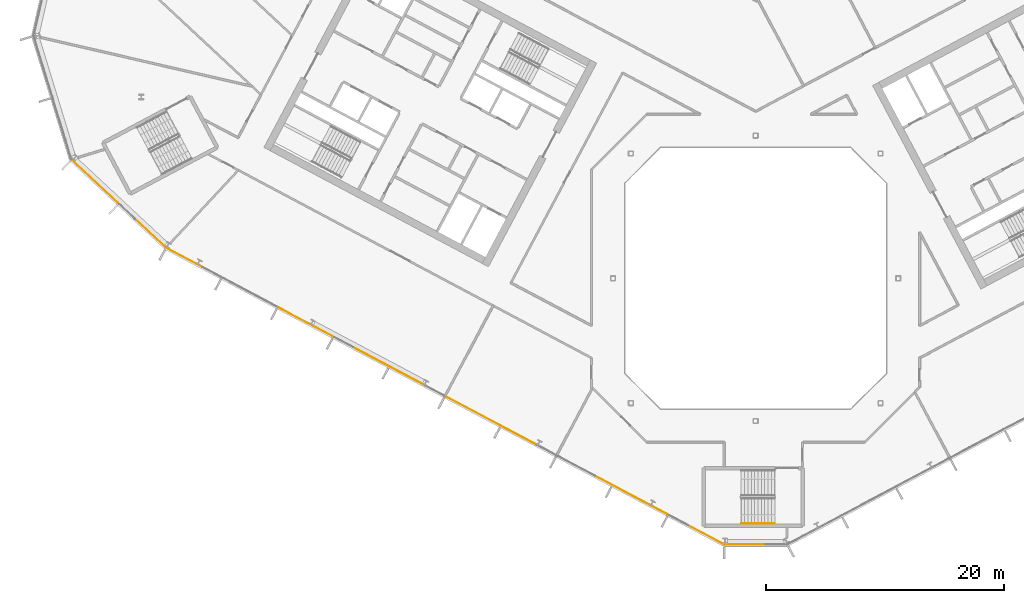
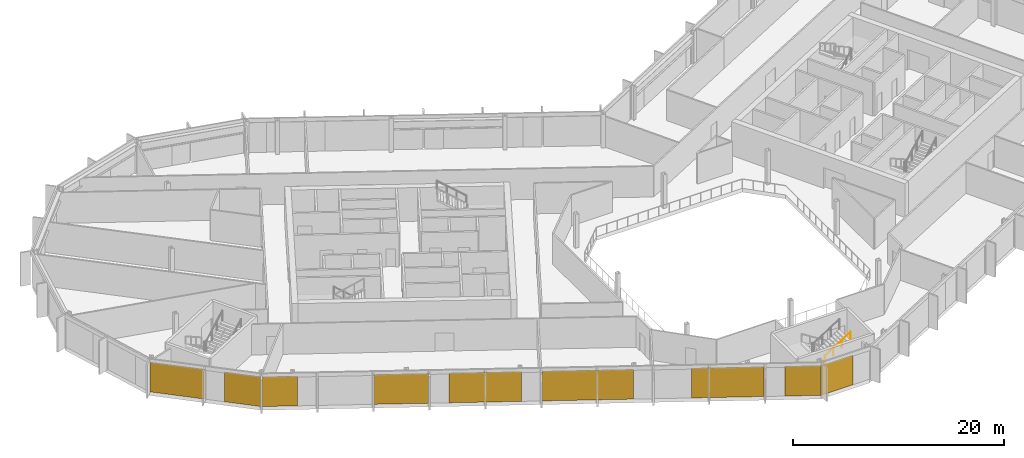
# One storey, part 22 of 31: 9 coverings, 1 railing, 3 elements without a shape of their own.
"""IFC4 building model written with IfcOpenShell, lengths in metres."""

from ifc_helpers import new_model, si_unit, direction, frame, origin, origin_2d, place, context, subcontext, project, spatial, polyline, rectangle, outline, extrude, material, layer, layer_set, type_object, element, aggregate, save


model = new_model("IFC4")

# Units and contexts
model_context = context("Model", 3, precision=1e-05, world=origin(), true_north=direction((0.0, 1.0)))
body_context = subcontext(model_context, "Body", "Model", "MODEL_VIEW")
ifc_project = project(units=[si_unit("LENGTHUNIT", "METRE"), si_unit("AREAUNIT", "SQUARE_METRE"), si_unit("VOLUMEUNIT", "CUBIC_METRE"), si_unit("PLANEANGLEUNIT", "RADIAN"), si_unit("MASSUNIT", "GRAM", prefix="KILO")], contexts=[model_context])

# Site, building, storey
site_placement = place(None, origin())
site = spatial("IfcSite", under=ifc_project, at=site_placement, CompositionType="ELEMENT")
building_placement = place(site_placement, origin())
building = spatial("IfcBuilding", under=site, at=building_placement, Name="Cormorant Relay Tower", CompositionType="ELEMENT")
storey_placement = place(building_placement, frame((0.0, 0.0, 189.60009765625)))
storey = spatial("IfcBuildingStorey", under=building, at=storey_placement, Name="L40", CompositionType="ELEMENT", Elevation=189.60009765625)

# Curtain wall, covering
ifc_material_1 = material(Name="Aluminium 6063-T6 anodised bronze", Category="aluminium")
ifc_layer_1 = layer(ifc_material_1, 0.199951171875)
ifc_layer_set_1 = layer_set([ifc_layer_1], Name="CW1 unitised bronze curtain wall with vertical fins")
curtain_wall_type = type_object("IfcCurtainWallType", Name="CW1 unitised bronze curtain wall with vertical fins", PredefinedType="NOTDEFINED", material=ifc_layer_set_1)
curtain_wall_1_placement = place(storey_placement, origin())
curtain_wall_1 = element("IfcCurtainWall", 1, at=curtain_wall_1_placement, inside=storey, type_object=curtain_wall_type, Name="CW1 curtain wall 1", PredefinedType="NOTDEFINED")
ifc_material_2 = material(Name="Pale bronze anodised aluminium insulated panel", Category="aluminium")
ifc_layer_2 = layer(ifc_material_2, 0.0400390625)
ifc_layer_set_2 = layer_set([ifc_layer_2], Name="CW1 pale bronze insulated panel 40")
covering_type = type_object("IfcCoveringType", Name="CW1 pale bronze insulated panel 40", PredefinedType="CLADDING", material=ifc_layer_set_2)
covering_1_placement = place(storey_placement, frame((-0.862548828125, -22.3955078125, 0.0), z_axis=(0.0, 0.0, 1.0), x_axis=(1.0, 0.0, 0.0)))
covering_1 = element("IfcCovering", 2, at=covering_1_placement, type_object=covering_type, Name="CW1 panel S00", PredefinedType="CLADDING", context=body_context, shape_type="SweptSolid", body=[
    extrude(rectangle(XDim=3.422607421875, YDim=0.0400390625, at=origin_2d()), origin(), (0.0, 0.0, 1.0), 3.449951171875),
])
aggregate(curtain_wall_1, [covering_1])

# Curtain wall, coverings
curtain_wall_2_placement = place(storey_placement, origin())
curtain_wall_2 = element("IfcCurtainWall", 3, at=curtain_wall_2_placement, inside=storey, type_object=curtain_wall_type, Name="CW1 curtain wall 15", PredefinedType="NOTDEFINED")
covering_2_placement = place(storey_placement, frame((-55.56787109375, 8.1298828125, 0.0), z_axis=(0.0, 0.0, 1.0), x_axis=(0.731353701619, -0.681998360062, 0.0)))
covering_2 = element("IfcCovering", 4, at=covering_2_placement, type_object=covering_type, Name="CW1 panel S00", PredefinedType="CLADDING", context=body_context, shape_type="SweptSolid", body=[
    extrude(rectangle(XDim=5.28515625, YDim=0.0400390625, at=origin_2d()), origin(), (0.0, 0.0, 1.0), 3.449951171875),
])
covering_3_placement = place(storey_placement, frame((-50.906982421875, 3.78369140625, 0.0), z_axis=(0.0, 0.0, 1.0), x_axis=(0.731353701619, -0.681998360062, 0.0)))
covering_3 = element("IfcCovering", 5, at=covering_3_placement, type_object=covering_type, Name="CW1 panel S02", PredefinedType="CLADDING", context=body_context, shape_type="SweptSolid", body=[
    extrude(rectangle(XDim=3.560302734375, YDim=0.0400390625, at=origin_2d()), origin(), (0.0, 0.0, 1.0), 3.449951171875),
])
aggregate(curtain_wall_2, [covering_2, covering_3])

curtain_wall_3_placement = place(storey_placement, origin())
curtain_wall_3 = element("IfcCurtainWall", 6, at=curtain_wall_3_placement, inside=storey, type_object=curtain_wall_type, Name="CW1 curtain wall 16", PredefinedType="NOTDEFINED")
covering_4_placement = place(storey_placement, frame((-48.048583984375, 1.7412109375, 0.0), z_axis=(0.0, 0.0, 1.0), x_axis=(0.882947592859, -0.469471562786, 0.0)))
covering_4 = element("IfcCovering", 7, at=covering_4_placement, type_object=covering_type, Name="CW1 panel S00", PredefinedType="CLADDING", context=body_context, shape_type="SweptSolid", body=[
    extrude(rectangle(XDim=3.36669921875, YDim=0.0400390625, at=origin_2d()), origin(), (0.0, 0.0, 1.0), 3.449951171875),
])
covering_5_placement = place(storey_placement, frame((-37.865234375, -3.67333984375, 0.0), z_axis=(0.0, 0.0, 1.0), x_axis=(0.882947592859, -0.469471562786, 0.0)))
covering_5 = element("IfcCovering", 8, at=covering_5_placement, type_object=covering_type, Name="CW1 panel S03", PredefinedType="CLADDING", context=body_context, shape_type="SweptSolid", body=[
    extrude(rectangle(XDim=5.16650390625, YDim=0.0400390625, at=origin_2d()), origin(), (0.0, 0.0, 1.0), 3.449951171875),
])
covering_6_placement = place(storey_placement, frame((-30.823974609375, -7.417236328125, 0.0), z_axis=(0.0, 0.0, 1.0), x_axis=(0.882947592859, -0.469471562786, 0.0)))
covering_6 = element("IfcCovering", 9, at=covering_6_placement, type_object=covering_type, Name="CW1 panel S05", PredefinedType="CLADDING", context=body_context, shape_type="SweptSolid", body=[
    extrude(rectangle(XDim=6.88330078125, YDim=0.0400390625, at=origin_2d()), origin(), (0.0, 0.0, 1.0), 3.449951171875),
])
covering_7_placement = place(storey_placement, frame((-22.22998046875, -11.98681640625, 0.0), z_axis=(0.0, 0.0, 1.0), x_axis=(0.882947592859, -0.469471562786, 0.0)))
covering_7 = element("IfcCovering", 10, at=covering_7_placement, type_object=covering_type, Name="CW1 panel S07", PredefinedType="CLADDING", context=body_context, shape_type="SweptSolid", body=[
    extrude(rectangle(XDim=8.68310546875, YDim=0.0400390625, at=origin_2d()), origin(), (0.0, 0.0, 1.0), 3.449951171875),
])
covering_8_placement = place(storey_placement, frame((-10.45751953125, -18.246337890625, 0.0), z_axis=(0.0, 0.0, 1.0), x_axis=(0.882947592859, -0.469471562786, 0.0)))
covering_8 = element("IfcCovering", 11, at=covering_8_placement, type_object=covering_type, Name="CW1 panel S10", PredefinedType="CLADDING", context=body_context, shape_type="SweptSolid", body=[
    extrude(rectangle(XDim=6.88330078125, YDim=0.0400390625, at=origin_2d()), origin(), (0.0, 0.0, 1.0), 3.449951171875),
])
covering_9_placement = place(storey_placement, frame((-4.177490234375, -21.58544921875, 0.0), z_axis=(0.0, 0.0, 1.0), x_axis=(0.882947592859, -0.469471562786, 0.0)))
covering_9 = element("IfcCovering", 12, at=covering_9_placement, type_object=covering_type, Name="CW1 panel S12", PredefinedType="CLADDING", context=body_context, shape_type="SweptSolid", body=[
    extrude(rectangle(XDim=3.441650390625, YDim=0.0400390625, at=origin_2d()), origin(), (0.0, 0.0, 1.0), 3.449951171875),
])
aggregate(curtain_wall_3, [covering_4, covering_5, covering_6, covering_7, covering_8, covering_9])

# Railing
ifc_material_3 = material(Name="Steel ASTM A572 Grade 50 (Fy 345 MPa)", Category="steel")
railing_type = type_object("IfcRailingType", Name="Stair handrail 900", PredefinedType="HANDRAIL", material=ifc_material_3)
railing_placement = place(storey_placement, frame((-1.199951171875, -20.625, 2.127197265625)))
element("IfcRailing", 13, at=railing_placement, inside=storey, type_object=railing_type, Name="L40 RK1 stair handrail 2", PredefinedType="HANDRAIL", context=body_context, shape_type="SweptSolid", body=[
    extrude(outline(polyline([(0.022216796875, 0.00927734375), (0.00927734375, 0.022216796875), (-0.00927734375, 0.022216796875), (-0.022216796875, 0.00927734375), (-0.022216796875, -0.00927734375), (-0.00927734375, -0.022216796875), (0.00927734375, -0.022216796875), (0.022216796875, -0.00927734375), (0.022216796875, 0.00927734375)])), frame((0.0, 0.0, 0.8759765625), z_axis=(0.844908973607, 0.0, 0.534910110503), x_axis=(0.0, 1.0, 0.0)), (0.0, 0.0, 1.0), 3.31396484375),
    extrude(outline(polyline([(0.019287109375, 0.008056640625), (0.008056640625, 0.019287109375), (-0.008056640625, 0.019287109375), (-0.019287109375, 0.008056640625), (-0.019287109375, -0.008056640625), (-0.008056640625, -0.019287109375), (0.008056640625, -0.019287109375), (0.019287109375, -0.008056640625), (0.019287109375, 0.008056640625)])), origin(), (0.0, 0.0, 1.0), 0.851806640625),
    extrude(outline(polyline([(0.019287109375, 0.008056640625), (0.008056640625, 0.019287109375), (-0.008056640625, 0.019287109375), (-0.019287109375, 0.008056640625), (-0.019287109375, -0.008056640625), (-0.008056640625, -0.019287109375), (0.008056640625, -0.019287109375), (0.019287109375, -0.008056640625), (0.019287109375, 0.008056640625)])), frame((0.933349609375, 0.0, 0.5908203125)), (0.0, 0.0, 1.0), 0.851806640625),
    extrude(outline(polyline([(0.019287109375, 0.008056640625), (0.008056640625, 0.019287109375), (-0.008056640625, 0.019287109375), (-0.019287109375, 0.008056640625), (-0.019287109375, -0.008056640625), (-0.008056640625, -0.019287109375), (0.008056640625, -0.019287109375), (0.019287109375, -0.008056640625), (0.019287109375, 0.008056640625)])), frame((1.86669921875, 0.0, 1.181884765625)), (0.0, 0.0, 1.0), 0.851806640625),
    extrude(outline(polyline([(0.019287109375, 0.008056640625), (0.008056640625, 0.019287109375), (-0.008056640625, 0.019287109375), (-0.019287109375, 0.008056640625), (-0.019287109375, -0.008056640625), (-0.008056640625, -0.019287109375), (0.008056640625, -0.019287109375), (0.019287109375, -0.008056640625), (0.019287109375, 0.008056640625)])), frame((2.800048828125, 0.0, 1.772705078125)), (0.0, 0.0, 1.0), 0.851806640625),
])

save(model, "model.ifc")
